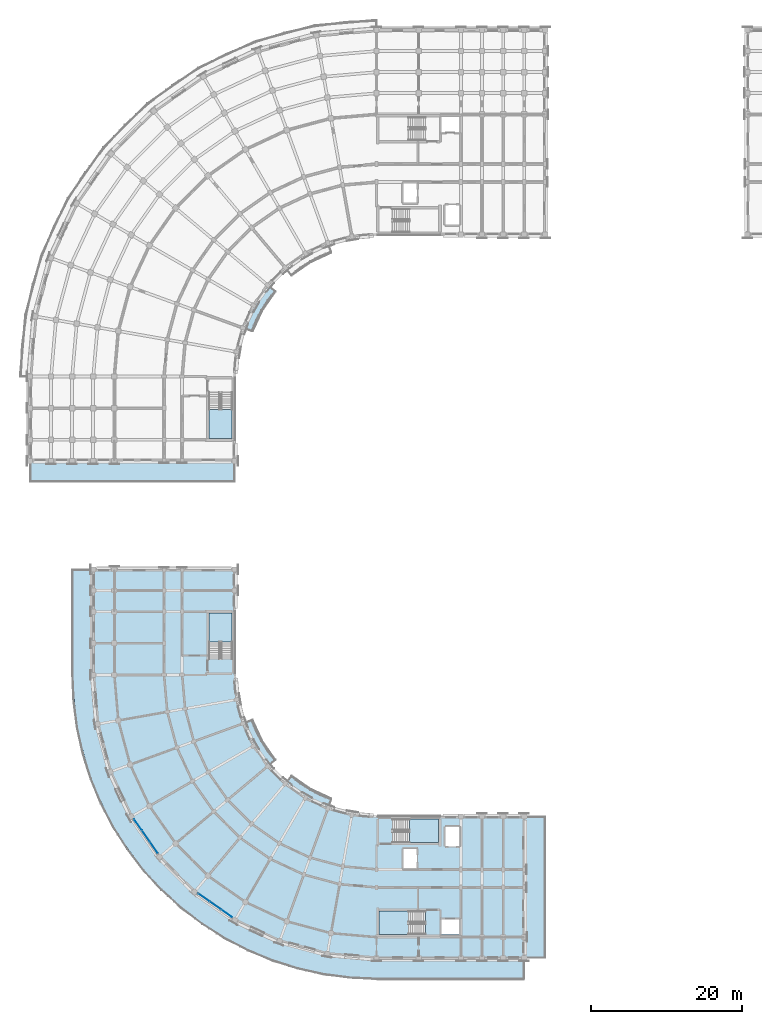
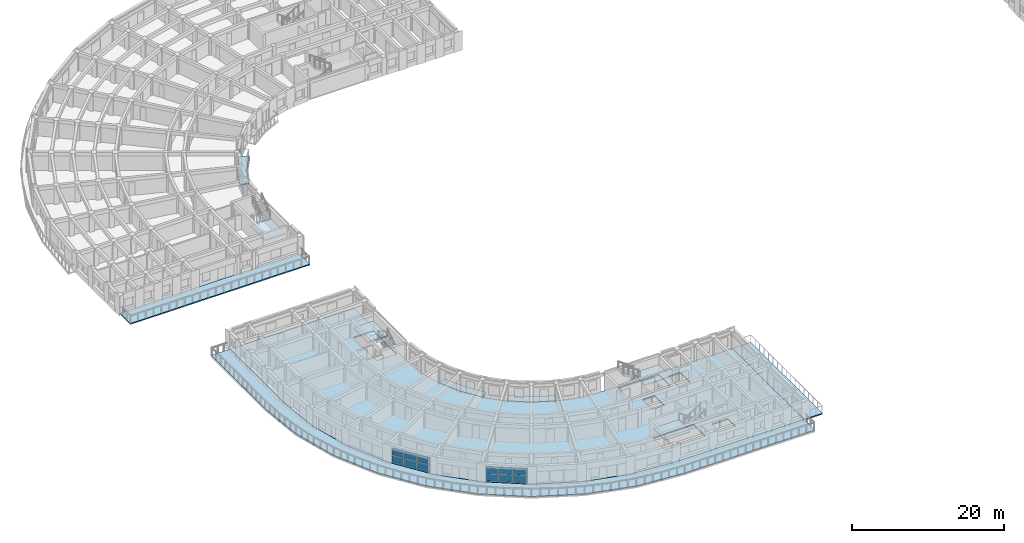
# One storey, part 14 of 54: 12 plates, 11 slabs, 6 elements without a shape of their own.
"""IFC4 building model written with IfcOpenShell, lengths in metres."""

import ifcopenshell
import ifcopenshell.guid

model = None  # the IFC model being written
_history = None  # IfcOwnerHistory: only IFC2X3 demands one
_inside = {}  # id of a spatial element -> (the spatial element, [elements in it])
_under = {}  # id of a project, library or spatial element -> (it, [spatial elements below it])
_declared = {}  # id of a project -> (the project, [libraries it declares])
_typed = {}  # id of a type object -> (the type object, [elements of that type])
_made_of = {}  # id of a material, layer set ... -> (it, [elements and type objects made of it])


def new_model(schema):
    """Start an empty IFC model of exactly this schema.

    Asked for "IFC4X3", IfcOpenShell would pick the latest addendum, in which some entities
    have other attributes; the version numbers below select the first issue.
    IFC2X3 requires an IfcOwnerHistory on every rooted entity: one is made here for all.
    """
    global model, _history
    if schema == "IFC4X3":
        model = ifcopenshell.file(schema_version=(4, 3, 0, 0))
    else:
        model = ifcopenshell.file(schema=schema)
    _inside.clear()
    _under.clear()
    _declared.clear()
    _typed.clear()
    _made_of.clear()
    _history = None
    if model.schema == "IFC2X3":
        org = make("IfcOrganization", Name="unknown")
        user = make(
            "IfcPersonAndOrganization",
            ThePerson=make("IfcPerson", FamilyName="unknown"),
            TheOrganization=org,
        )
        app = make(
            "IfcApplication",
            ApplicationDeveloper=org,
            Version="unknown",
            ApplicationFullName="unknown",
            ApplicationIdentifier="unknown",
        )
        _history = make(
            "IfcOwnerHistory",
            OwningUser=user,
            OwningApplication=app,
            ChangeAction="ADDED",
            CreationDate=0,
        )
    return model


def make(cls, **values):
    """One entity of the class cls with the attributes given. An attribute that is None is left unset."""
    return model.create_entity(
        cls, **{name: value for name, value in values.items() if value is not None}
    )


def rooted(cls, **values):
    """An entity with a GlobalId (a new one), such as an element, a storey or a relation."""
    return make(cls, GlobalId=ifcopenshell.guid.new(), OwnerHistory=_history, **values)


def si_unit(unit_type, name, prefix=None):
    """IfcSIUnit, for example si_unit("LENGTHUNIT", "METRE", prefix="MILLI")."""
    return make("IfcSIUnit", UnitType=unit_type, Prefix=prefix, Name=name)


def assignment(units):
    """IfcUnitAssignment: the units of a project."""
    return None if units is None else make("IfcUnitAssignment", Units=units)


def point(xyz):
    """IfcCartesianPoint."""
    return None if xyz is None else make("IfcCartesianPoint", Coordinates=xyz)


def direction(xyz):
    """IfcDirection."""
    return None if xyz is None else make("IfcDirection", DirectionRatios=xyz)


def frame(location, z_axis=None, x_axis=None):
    """IfcAxis2Placement3D, a coordinate frame: its origin and axes. An axis left out is left unset."""
    return make(
        "IfcAxis2Placement3D",
        Location=point(location),
        Axis=direction(z_axis),
        RefDirection=direction(x_axis),
    )


def frame_2d(location, x_axis=None):
    """IfcAxis2Placement2D, a coordinate frame in the plane: its origin and x axis."""
    return make(
        "IfcAxis2Placement2D", Location=point(location), RefDirection=direction(x_axis)
    )


def origin():
    """The frame at (0, 0, 0) with its axes left unset."""
    return frame((0.0, 0.0, 0.0))


def origin_2d():
    """The frame at (0, 0) in the plane with its x axis left unset."""
    return frame_2d((0.0, 0.0))


def place(relative_to, where):
    """IfcLocalPlacement: puts the frame where relative to a parent placement (None: the world)."""
    return make(
        "IfcLocalPlacement", PlacementRelTo=relative_to, RelativePlacement=where
    )


def context(
    kind, dimensions, precision=None, world=None, true_north=None, identifier=None
):
    """IfcGeometricRepresentationContext, for example the 3D "Model" context."""
    return make(
        "IfcGeometricRepresentationContext",
        ContextIdentifier=identifier,
        ContextType=kind,
        CoordinateSpaceDimension=dimensions,
        Precision=precision,
        WorldCoordinateSystem=world,
        TrueNorth=true_north,
    )


def subcontext(parent, identifier, kind, view, scale=None):
    """IfcGeometricRepresentationSubContext, for example "Body" below "Model"."""
    return make(
        "IfcGeometricRepresentationSubContext",
        ContextIdentifier=identifier,
        ContextType=kind,
        ParentContext=parent,
        TargetScale=scale,
        TargetView=view,
    )


def project(units=None, contexts=None):
    """IfcProject with its units and contexts."""
    return rooted(
        "IfcProject",
        Name="project",
        RepresentationContexts=contexts,
        UnitsInContext=assignment(units),
    )


def spatial(cls, under=None, at=None, **own):
    """A site, building, storey or space (cls), placed at a placement, below another one or the project."""
    s = rooted(cls, ObjectPlacement=at, **own)
    if under is not None:
        _under.setdefault(under.id(), (under, []))[1].append(s)
    return s


def polyline(points):
    """IfcPolyline through the points."""
    return make("IfcPolyline", Points=[point(p) for p in points])


def profile(cls, at=None, kind="AREA", **sizes):
    """A parametric profile (cls). Its sizes go by their IFC names, for example OverallWidth=200.0."""
    return make(cls, ProfileType=kind, Position=at, **sizes)


def rectangle(**sizes):
    """IfcRectangleProfileDef."""
    return profile("IfcRectangleProfileDef", **sizes)


def outline(outer, holes=None, kind="AREA"):
    """IfcArbitraryClosedProfileDef: a profile drawn as a closed curve; with holes, ...WithVoids."""
    if holes is None:
        return make("IfcArbitraryClosedProfileDef", ProfileType=kind, OuterCurve=outer)
    return make(
        "IfcArbitraryProfileDefWithVoids",
        ProfileType=kind,
        OuterCurve=outer,
        InnerCurves=holes,
    )


def extrude(swept, where, along, depth):
    """IfcExtrudedAreaSolid: the profile swept, set in the frame where, extruded along a direction by depth."""
    return make(
        "IfcExtrudedAreaSolid",
        SweptArea=swept,
        Position=where,
        ExtrudedDirection=direction(along),
        Depth=depth,
    )


def shape(context_of_items, identifier, shape_type, items):
    """IfcShapeRepresentation: the items that make up one representation, for example the "Body"."""
    return make(
        "IfcShapeRepresentation",
        ContextOfItems=context_of_items,
        RepresentationIdentifier=identifier,
        RepresentationType=shape_type,
        Items=items,
    )


def material(Name=None, Category=None):
    """IfcMaterial."""
    return make("IfcMaterial", Name=Name, Category=Category)


def layer(
    of_material, thickness, ventilated=None, Name=None, Category=None, Priority=None
):
    """IfcMaterialLayer: one layer of a wall or slab, of a material (None: an air gap)."""
    return make(
        "IfcMaterialLayer",
        Material=of_material,
        LayerThickness=thickness,
        IsVentilated=ventilated,
        Name=Name,
        Category=Category,
        Priority=Priority,
    )


def layer_set(layers, Name=None):
    """IfcMaterialLayerSet."""
    return make("IfcMaterialLayerSet", MaterialLayers=layers, LayerSetName=Name)


def made_of(thing, what):
    """Note that an element or type object is made of a material, layer set ...; save() writes the relation."""
    if what is not None:
        _made_of.setdefault(what.id(), (what, []))[1].append(thing)
    return thing


def type_object(cls, material=None, **own):
    """A type object (cls), such as IfcWallType, which elements share."""
    return made_of(rooted(cls, **own), material)


def element(
    cls,
    number,
    at=None,
    inside=None,
    cuts=None,
    type_object=None,
    material=None,
    context=None,
    identifier="Body",
    shape_type=None,
    held_by="IfcProductDefinitionShape",
    body=None,
    shapes=None,
    **own,
):
    """One element of the class cls, such as IfcWall. Its Tag is "e" and its number.

    at: its placement. inside: the storey or other place that contains it. cuts: it is an
    opening in that element (IfcRelVoidsElement). A single representation is given by context,
    identifier, shape_type and body (its items); several are given by shapes. held_by: the class
    of the entity that holds the representations. save() writes the other relations.
    """
    e = rooted(cls, Tag="e%d" % number, ObjectPlacement=at, **own)
    if body is not None:
        shapes = [shape(context, identifier, shape_type, body)]
    if shapes is not None:
        e.Representation = make(held_by, Representations=shapes)
    if inside is not None:
        _inside.setdefault(inside.id(), (inside, []))[1].append(e)
    if cuts is not None:
        rooted(
            "IfcRelVoidsElement", RelatingBuildingElement=cuts, RelatedOpeningElement=e
        )
    if type_object is not None:
        _typed.setdefault(type_object.id(), (type_object, []))[1].append(e)
    return made_of(e, material)


def aggregate(whole, parts):
    """IfcRelAggregates: a whole, such as a stair, and the parts it consists of."""
    return rooted("IfcRelAggregates", RelatingObject=whole, RelatedObjects=parts)


def save(model, path):
    """Write the relations noted so far, then the file.

    IfcRelAggregates (storeys below a building ...), IfcRelContainedInSpatialStructure (elements
    in a storey), IfcRelDefinesByType, IfcRelAssociatesMaterial and IfcRelDeclares: one each for
    every whole, place, type object, material and project.
    """
    for whole, parts in _under.values():
        aggregate(whole, parts)
    for where, things in _inside.values():
        rooted(
            "IfcRelContainedInSpatialStructure",
            RelatedElements=things,
            RelatingStructure=where,
        )
    for kind, things in _typed.values():
        rooted("IfcRelDefinesByType", RelatedObjects=things, RelatingType=kind)
    for what, things in _made_of.values():
        rooted("IfcRelAssociatesMaterial", RelatedObjects=things, RelatingMaterial=what)
    for by, libraries in _declared.values():
        rooted("IfcRelDeclares", RelatingContext=by, RelatedDefinitions=libraries)
    model.write(path)


model = new_model("IFC4")

# Units and contexts
model_context = context("Model", 3, precision=1e-05, world=origin(), true_north=direction((0.0, 1.0)))
body_context = subcontext(model_context, "Body", "Model", "MODEL_VIEW")
ifc_project = project(units=[si_unit("LENGTHUNIT", "METRE"), si_unit("AREAUNIT", "SQUARE_METRE"), si_unit("VOLUMEUNIT", "CUBIC_METRE"), si_unit("PLANEANGLEUNIT", "RADIAN"), si_unit("MASSUNIT", "GRAM", prefix="KILO")], contexts=[model_context])

# Site, building, storey
site_placement = place(None, origin())
site = spatial("IfcSite", under=ifc_project, at=site_placement, CompositionType="ELEMENT")
building_placement = place(site_placement, origin())
building = spatial("IfcBuilding", under=site, at=building_placement, Name="Kiranvali Square Residences", CompositionType="ELEMENT")
storey_placement = place(building_placement, frame((0.0, 0.0, 27.60009765625)))
storey = spatial("IfcBuildingStorey", under=building, at=storey_placement, Name="L08", CompositionType="ELEMENT", Elevation=27.60009765625)

# Curtain wall, plates
ifc_material_1 = material(Name="Anodised bronze aluminium framing", Category="aluminium")
curtain_wall_type = type_object("IfcCurtainWallType", Name="CW-RES-LOG", PredefinedType="USERDEFINED", material=ifc_material_1)
curtain_wall_1_placement = place(storey_placement, origin())
curtain_wall_1 = element("IfcCurtainWall", 1, at=curtain_wall_1_placement, inside=storey, type_object=curtain_wall_type, Name="Block C L08 stepped curved terrace loggia 4", ObjectType="CURTAIN WALL", PredefinedType="USERDEFINED")
ifc_material_2 = material(Name="Solar-control low-e double glazing", Category="glass")
ifc_layer_1 = layer(ifc_material_2, 0.028076171875)
ifc_layer_set_1 = layer_set([ifc_layer_1], Name="Solar-control low-e double glazing")
plate_type = type_object("IfcPlateType", Name="PLT-CW-GLZ", PredefinedType="CURTAIN_PANEL", material=ifc_layer_set_1)
plate_1_placement = place(storey_placement, frame((28.29541015625, 16.557373046875, 0.079833984375), z_axis=(0.0, 0.0, 1.0), x_axis=(-0.819152044289, 0.573576436351, 0.0)))
plate_1 = element("IfcPlate", 2, at=plate_1_placement, type_object=plate_type, Name="CW-C-L08-TER-03 glazed panel 1.1", PredefinedType="CURTAIN_PANEL", context=body_context, shape_type="SweptSolid", body=[
    extrude(rectangle(XDim=1.7646484375, YDim=0.028076171875, at=origin_2d()), origin(), (0.0, 0.0, 1.0), 1.1201171875),
])
plate_2_placement = place(storey_placement, frame((28.29541015625, 16.557373046875, 1.27978515625), z_axis=(0.0, 0.0, 1.0), x_axis=(-0.819152044289, 0.573576436351, 0.0)))
plate_2 = element("IfcPlate", 3, at=plate_2_placement, type_object=plate_type, Name="CW-C-L08-TER-03 glazed panel 1.2", PredefinedType="CURTAIN_PANEL", context=body_context, shape_type="SweptSolid", body=[
    extrude(rectangle(XDim=1.7646484375, YDim=0.028076171875, at=origin_2d()), origin(), (0.0, 0.0, 1.0), 1.1201171875),
])
plate_3_placement = place(storey_placement, frame((26.784423828125, 17.615478515625, 0.079833984375), z_axis=(0.0, 0.0, 1.0), x_axis=(-0.819152044289, 0.573576436351, 0.0)))
plate_3 = element("IfcPlate", 4, at=plate_3_placement, type_object=plate_type, Name="CW-C-L08-TER-03 glazed panel 2.1", PredefinedType="CURTAIN_PANEL", context=body_context, shape_type="SweptSolid", body=[
    extrude(rectangle(XDim=1.7646484375, YDim=0.028076171875, at=origin_2d()), origin(), (0.0, 0.0, 1.0), 1.1201171875),
])
plate_4_placement = place(storey_placement, frame((26.784423828125, 17.615478515625, 1.27978515625), z_axis=(0.0, 0.0, 1.0), x_axis=(-0.819152044289, 0.573576436351, 0.0)))
plate_4 = element("IfcPlate", 5, at=plate_4_placement, type_object=plate_type, Name="CW-C-L08-TER-03 glazed panel 2.2", PredefinedType="CURTAIN_PANEL", context=body_context, shape_type="SweptSolid", body=[
    extrude(rectangle(XDim=1.7646484375, YDim=0.028076171875, at=origin_2d()), origin(), (0.0, 0.0, 1.0), 1.1201171875),
])
plate_5_placement = place(storey_placement, frame((25.2734375, 18.67333984375, 0.079833984375), z_axis=(0.0, 0.0, 1.0), x_axis=(-0.819152044289, 0.573576436351, 0.0)))
plate_5 = element("IfcPlate", 6, at=plate_5_placement, type_object=plate_type, Name="CW-C-L08-TER-03 glazed panel 3.1", PredefinedType="CURTAIN_PANEL", context=body_context, shape_type="SweptSolid", body=[
    extrude(rectangle(XDim=1.7646484375, YDim=0.028076171875, at=origin_2d()), origin(), (0.0, 0.0, 1.0), 1.1201171875),
])
plate_6_placement = place(storey_placement, frame((25.2734375, 18.67333984375, 1.27978515625), z_axis=(0.0, 0.0, 1.0), x_axis=(-0.819152044289, 0.573576436351, 0.0)))
plate_6 = element("IfcPlate", 7, at=plate_6_placement, type_object=plate_type, Name="CW-C-L08-TER-03 glazed panel 3.2", PredefinedType="CURTAIN_PANEL", context=body_context, shape_type="SweptSolid", body=[
    extrude(rectangle(XDim=1.7646484375, YDim=0.028076171875, at=origin_2d()), origin(), (0.0, 0.0, 1.0), 1.1201171875),
])
aggregate(curtain_wall_1, [plate_1, plate_2, plate_3, plate_4, plate_5, plate_6])

curtain_wall_2_placement = place(storey_placement, origin())
curtain_wall_2 = element("IfcCurtainWall", 8, at=curtain_wall_2_placement, inside=storey, type_object=curtain_wall_type, Name="Block C L08 stepped curved terrace loggia 6", ObjectType="CURTAIN WALL", PredefinedType="USERDEFINED")
plate_7_placement = place(storey_placement, frame((18.67333984375, 25.2734375, 0.079833984375), z_axis=(0.0, 0.0, 1.0), x_axis=(-0.573576436351, 0.819152044289, 0.0)))
plate_7 = element("IfcPlate", 9, at=plate_7_placement, type_object=plate_type, Name="CW-C-L08-TER-05 glazed panel 1.1", PredefinedType="CURTAIN_PANEL", context=body_context, shape_type="SweptSolid", body=[
    extrude(rectangle(XDim=1.7646484375, YDim=0.028076171875, at=origin_2d()), origin(), (0.0, 0.0, 1.0), 1.1201171875),
])
plate_8_placement = place(storey_placement, frame((18.67333984375, 25.2734375, 1.27978515625), z_axis=(0.0, 0.0, 1.0), x_axis=(-0.573576436351, 0.819152044289, 0.0)))
plate_8 = element("IfcPlate", 10, at=plate_8_placement, type_object=plate_type, Name="CW-C-L08-TER-05 glazed panel 1.2", PredefinedType="CURTAIN_PANEL", context=body_context, shape_type="SweptSolid", body=[
    extrude(rectangle(XDim=1.7646484375, YDim=0.028076171875, at=origin_2d()), origin(), (0.0, 0.0, 1.0), 1.1201171875),
])
plate_9_placement = place(storey_placement, frame((17.615478515625, 26.784423828125, 0.079833984375), z_axis=(0.0, 0.0, 1.0), x_axis=(-0.573576436351, 0.819152044289, 0.0)))
plate_9 = element("IfcPlate", 11, at=plate_9_placement, type_object=plate_type, Name="CW-C-L08-TER-05 glazed panel 2.1", PredefinedType="CURTAIN_PANEL", context=body_context, shape_type="SweptSolid", body=[
    extrude(rectangle(XDim=1.7646484375, YDim=0.028076171875, at=origin_2d()), origin(), (0.0, 0.0, 1.0), 1.1201171875),
])
plate_10_placement = place(storey_placement, frame((17.615478515625, 26.784423828125, 1.27978515625), z_axis=(0.0, 0.0, 1.0), x_axis=(-0.573576436351, 0.819152044289, 0.0)))
plate_10 = element("IfcPlate", 12, at=plate_10_placement, type_object=plate_type, Name="CW-C-L08-TER-05 glazed panel 2.2", PredefinedType="CURTAIN_PANEL", context=body_context, shape_type="SweptSolid", body=[
    extrude(rectangle(XDim=1.7646484375, YDim=0.028076171875, at=origin_2d()), origin(), (0.0, 0.0, 1.0), 1.1201171875),
])
plate_11_placement = place(storey_placement, frame((16.557373046875, 28.29541015625, 0.079833984375), z_axis=(0.0, 0.0, 1.0), x_axis=(-0.573576436351, 0.819152044289, 0.0)))
plate_11 = element("IfcPlate", 13, at=plate_11_placement, type_object=plate_type, Name="CW-C-L08-TER-05 glazed panel 3.1", PredefinedType="CURTAIN_PANEL", context=body_context, shape_type="SweptSolid", body=[
    extrude(rectangle(XDim=1.7646484375, YDim=0.028076171875, at=origin_2d()), origin(), (0.0, 0.0, 1.0), 1.1201171875),
])
plate_12_placement = place(storey_placement, frame((16.557373046875, 28.29541015625, 1.27978515625), z_axis=(0.0, 0.0, 1.0), x_axis=(-0.573576436351, 0.819152044289, 0.0)))
plate_12 = element("IfcPlate", 14, at=plate_12_placement, type_object=plate_type, Name="CW-C-L08-TER-05 glazed panel 3.2", PredefinedType="CURTAIN_PANEL", context=body_context, shape_type="SweptSolid", body=[
    extrude(rectangle(XDim=1.7646484375, YDim=0.028076171875, at=origin_2d()), origin(), (0.0, 0.0, 1.0), 1.1201171875),
])
aggregate(curtain_wall_2, [plate_7, plate_8, plate_9, plate_10, plate_11, plate_12])

# Slabs
ifc_material_3 = material(Name="Concrete M35 (35 MPa)", Category="concrete")
ifc_layer_2 = layer(ifc_material_3, 0.179931640625)
ifc_layer_set_2 = layer_set([ifc_layer_2], Name="Concrete M35 (35 MPa)")
slab_type_1 = type_object("IfcSlabType", Name="SLB-BAL-180", PredefinedType="FLOOR", material=ifc_layer_set_2)
slab_1_placement = place(storey_placement, frame((0.0, 0.0, -0.18017578125)))
element("IfcSlab", 15, at=slab_1_placement, inside=storey, type_object=slab_type_1, Name="Block A L08 high-rise refuge terrace slab", PredefinedType="FLOOR", context=body_context, shape_type="SweptSolid", body=[
    extrude(outline(polyline([(2.199951171875, 73.800048828125), (29.39990234375, 73.800048828125), (29.39990234375, 76.60009765625), (2.199951171875, 76.60009765625), (2.199951171875, 73.800048828125)])), origin(), (0.0, 0.0, 1.0), 0.18017578125),
])
slab_2_placement = place(storey_placement, frame((0.0, 0.0, -0.18017578125)))
element("IfcSlab", 16, at=slab_2_placement, inside=storey, type_object=slab_type_1, Name="Block C L08 north/south wing-end terrace slab", PredefinedType="FLOOR", context=body_context, shape_type="SweptSolid", body=[
    extrude(outline(polyline([(67.800048828125, 10.60009765625), (70.60009765625, 10.60009765625), (70.60009765625, 29.39990234375), (67.800048828125, 29.39990234375), (67.800048828125, 10.60009765625)])), origin(), (0.0, 0.0, 1.0), 0.18017578125),
])
ifc_layer_3 = layer(ifc_material_3, 0.219970703125)
ifc_layer_set_3 = layer_set([ifc_layer_3], Name="Concrete M35 (35 MPa)")
slab_type_2 = type_object("IfcSlabType", Name="SLB-FLR-220", PredefinedType="FLOOR", material=ifc_layer_set_3)
slab_3_placement = place(storey_placement, frame((0.0, 0.0, -0.22021484375)))
element("IfcSlab", 17, at=slab_3_placement, inside=storey, type_object=slab_type_2, Name="Block C L08 structural floor slab", PredefinedType="FLOOR", context=body_context, shape_type="SweptSolid", body=[
    extrude(outline(polyline([(48.199951171875, 29.39990234375), (44.935302734375, 29.685546875), (41.77001953125, 30.53369140625), (38.800048828125, 31.918701171875), (36.115478515625, 33.79833984375), (33.79833984375, 36.115478515625), (31.918701171875, 38.800048828125), (30.53369140625, 41.77001953125), (29.685546875, 44.935302734375), (29.39990234375, 48.199951171875), (29.39990234375, 62.199951171875), (10.60009765625, 62.199951171875), (10.60009765625, 48.199951171875), (11.171142578125, 41.6708984375), (12.86767578125, 35.340087890625), (15.637451171875, 29.39990234375), (19.396728515625, 24.03125), (24.03125, 19.396728515625), (29.39990234375, 15.637451171875), (35.340087890625, 12.86767578125), (41.6708984375, 11.171142578125), (48.199951171875, 10.60009765625), (67.800048828125, 10.60009765625), (67.800048828125, 29.39990234375), (48.199951171875, 29.39990234375)]), holes=[polyline([(56.800048828125, 13.75), (59.25, 13.75), (59.25, 15.75), (56.800048828125, 15.75), (56.800048828125, 13.75)]), polyline([(57.35009765625, 25.449951171875), (59.14990234375, 25.449951171875), (59.14990234375, 28.050048828125), (57.35009765625, 28.050048828125), (57.35009765625, 25.449951171875)]), polyline([(51.75, 22.550048828125), (53.550048828125, 22.550048828125), (53.550048828125, 25.14990234375), (51.75, 25.14990234375), (51.75, 22.550048828125)]), polyline([(54.699951171875, 16.85009765625), (48.550048828125, 16.85009765625), (48.550048828125, 13.75), (54.699951171875, 13.75), (54.699951171875, 16.85009765625)]), polyline([(50.300048828125, 25.949951171875), (56.449951171875, 25.949951171875), (56.449951171875, 29.050048828125), (50.300048828125, 29.050048828125), (50.300048828125, 25.949951171875)]), polyline([(29.050048828125, 50.300048828125), (29.050048828125, 56.449951171875), (25.949951171875, 56.449951171875), (25.949951171875, 50.300048828125), (29.050048828125, 50.300048828125)])]), origin(), (0.0, 0.0, 1.0), 0.22021484375),
])
ifc_layer_4 = layer(ifc_material_3, 0.169921875)
ifc_layer_set_4 = layer_set([ifc_layer_4], Name="Concrete M35 (35 MPa)")
slab_type_3 = type_object("IfcSlabType", Name="SLB-GBAL-170", PredefinedType="FLOOR", material=ifc_layer_set_4)
slab_4_placement = place(storey_placement, frame((0.0, 0.0, -0.18017578125)))
element("IfcSlab", 18, at=slab_4_placement, inside=storey, type_object=slab_type_3, Name="Block A L08 garden balcony slab 2", PredefinedType="FLOOR", context=body_context, shape_type="SweptSolid", body=[
    extrude(outline(polyline([(33.79833984375, 99.884521484375), (31.918701171875, 97.199951171875), (30.53369140625, 94.22998046875), (31.70849609375, 93.802490234375), (33.001220703125, 96.574951171875), (34.755859375, 99.080810546875), (33.79833984375, 99.884521484375)])), origin(), (0.0, 0.0, 1.0), 0.18017578125),
])
slab_5_placement = place(storey_placement, frame((0.0, 0.0, -0.18017578125)))
element("IfcSlab", 19, at=slab_5_placement, inside=storey, type_object=slab_type_3, Name="Block C L08 garden balcony slab 1", PredefinedType="FLOOR", context=body_context, shape_type="SweptSolid", body=[
    extrude(outline(polyline([(42.197509765625, 31.70849609375), (39.425048828125, 33.001220703125), (36.919189453125, 34.755859375), (36.115478515625, 33.79833984375), (38.800048828125, 31.918701171875), (41.77001953125, 30.53369140625), (42.197509765625, 31.70849609375)])), origin(), (0.0, 0.0, 1.0), 0.18017578125),
])
slab_6_placement = place(storey_placement, frame((0.0, 0.0, -0.18017578125)))
element("IfcSlab", 20, at=slab_6_placement, inside=storey, type_object=slab_type_3, Name="Block C L08 garden balcony slab 2", PredefinedType="FLOOR", context=body_context, shape_type="SweptSolid", body=[
    extrude(outline(polyline([(34.755859375, 36.919189453125), (33.001220703125, 39.425048828125), (31.70849609375, 42.197509765625), (30.53369140625, 41.77001953125), (31.918701171875, 38.800048828125), (33.79833984375, 36.115478515625), (34.755859375, 36.919189453125)])), origin(), (0.0, 0.0, 1.0), 0.18017578125),
])

# Stair, slab
stair_type = type_object("IfcStairType", Name="ST-CORE-1700", PredefinedType="HALF_TURN_STAIR", material=ifc_material_3)
stair_1_placement = place(storey_placement, origin())
stair_1 = element("IfcStair", 21, at=stair_1_placement, inside=storey, type_object=stair_type, Name="L08 Block A Wing Protected Exit Stair 3", PredefinedType="HALF_TURN_STAIR")
ifc_layer_5 = layer(ifc_material_3, 0.199951171875)
ifc_layer_set_5 = layer_set([ifc_layer_5], Name="Concrete M35 (35 MPa)")
slab_type_4 = type_object("IfcSlabType", Name="SLB-LND-200", PredefinedType="LANDING", material=ifc_layer_set_5)
slab_7_placement = place(storey_placement, frame((0.0, 0.0, 1.375)))
slab_7 = element("IfcSlab", 22, at=slab_7_placement, type_object=slab_type_4, Name="ST-A3 landing 1", PredefinedType="LANDING", context=body_context, shape_type="SweptSolid", body=[
    extrude(outline(polyline([(25.949951171875, 83.419921875), (25.949951171875, 79.550048828125), (29.050048828125, 79.550048828125), (29.050048828125, 83.419921875), (25.949951171875, 83.419921875)])), origin(), (0.0, 0.0, 1.0), 0.199951171875),
])
aggregate(stair_1, [slab_7])

stair_2_placement = place(storey_placement, origin())
stair_2 = element("IfcStair", 23, at=stair_2_placement, inside=storey, type_object=stair_type, Name="L08 Block C Firefighting Exit Stair 1", PredefinedType="HALF_TURN_STAIR")
slab_8_placement = place(storey_placement, frame((0.0, 0.0, 1.375)))
slab_8 = element("IfcSlab", 24, at=slab_8_placement, type_object=slab_type_4, Name="ST-C1 landing 1", PredefinedType="LANDING", context=body_context, shape_type="SweptSolid", body=[
    extrude(outline(polyline([(52.419921875, 16.85009765625), (48.550048828125, 16.85009765625), (48.550048828125, 13.75), (52.419921875, 13.75), (52.419921875, 16.85009765625)])), origin(), (0.0, 0.0, 1.0), 0.199951171875),
])
aggregate(stair_2, [slab_8])

stair_3_placement = place(storey_placement, origin())
stair_3 = element("IfcStair", 25, at=stair_3_placement, inside=storey, type_object=stair_type, Name="L08 Block C Protected Exit Stair 2", PredefinedType="HALF_TURN_STAIR")
slab_9_placement = place(storey_placement, frame((0.0, 0.0, 1.375)))
slab_9 = element("IfcSlab", 26, at=slab_9_placement, type_object=slab_type_4, Name="ST-C2 landing 1", PredefinedType="LANDING", context=body_context, shape_type="SweptSolid", body=[
    extrude(outline(polyline([(52.580078125, 25.949951171875), (56.449951171875, 25.949951171875), (56.449951171875, 29.050048828125), (52.580078125, 29.050048828125), (52.580078125, 25.949951171875)])), origin(), (0.0, 0.0, 1.0), 0.199951171875),
])
aggregate(stair_3, [slab_9])

stair_4_placement = place(storey_placement, origin())
stair_4 = element("IfcStair", 27, at=stair_4_placement, inside=storey, type_object=stair_type, Name="L08 Block C Wing Protected Exit Stair 3", PredefinedType="HALF_TURN_STAIR")
slab_10_placement = place(storey_placement, frame((0.0, 0.0, 1.375)))
slab_10 = element("IfcSlab", 28, at=slab_10_placement, type_object=slab_type_4, Name="ST-C3 landing 1", PredefinedType="LANDING", context=body_context, shape_type="SweptSolid", body=[
    extrude(outline(polyline([(29.050048828125, 52.580078125), (29.050048828125, 56.449951171875), (25.949951171875, 56.449951171875), (25.949951171875, 52.580078125), (29.050048828125, 52.580078125)])), origin(), (0.0, 0.0, 1.0), 0.199951171875),
])
aggregate(stair_4, [slab_10])

# Slab
ifc_layer_6 = layer(ifc_material_3, 0.18994140625)
ifc_layer_set_6 = layer_set([ifc_layer_6], Name="Concrete M35 (35 MPa)")
slab_type_5 = type_object("IfcSlabType", Name="SLB-TER-190", PredefinedType="FLOOR", material=ifc_layer_set_6)
slab_11_placement = place(storey_placement, frame((0.0, 0.0, -0.18017578125)))
element("IfcSlab", 29, at=slab_11_placement, inside=storey, type_object=slab_type_5, Name="Block C L08 curved high-rise refuge terrace slab", PredefinedType="FLOOR", context=body_context, shape_type="SweptSolid", body=[
    extrude(outline(polyline([(67.800048828125, 10.60009765625), (48.199951171875, 10.60009765625), (41.6708984375, 11.171142578125), (35.340087890625, 12.86767578125), (29.39990234375, 15.637451171875), (24.03125, 19.396728515625), (19.396728515625, 24.03125), (15.637451171875, 29.39990234375), (12.86767578125, 35.340087890625), (11.171142578125, 41.6708984375), (10.60009765625, 48.199951171875), (10.60009765625, 62.199951171875), (7.800048828125, 62.199951171875), (7.800048828125, 48.199951171875), (8.413818359375, 41.1845703125), (10.236328125, 34.38232421875), (13.212646484375, 28.0), (17.251708984375, 22.2314453125), (22.2314453125, 17.251708984375), (28.0, 13.212646484375), (34.38232421875, 10.236328125), (41.1845703125, 8.413818359375), (48.199951171875, 7.800048828125), (67.800048828125, 7.800048828125), (67.800048828125, 10.60009765625)])), origin(), (0.0, 0.0, 1.0), 0.18017578125),
])

save(model, "model.ifc")
